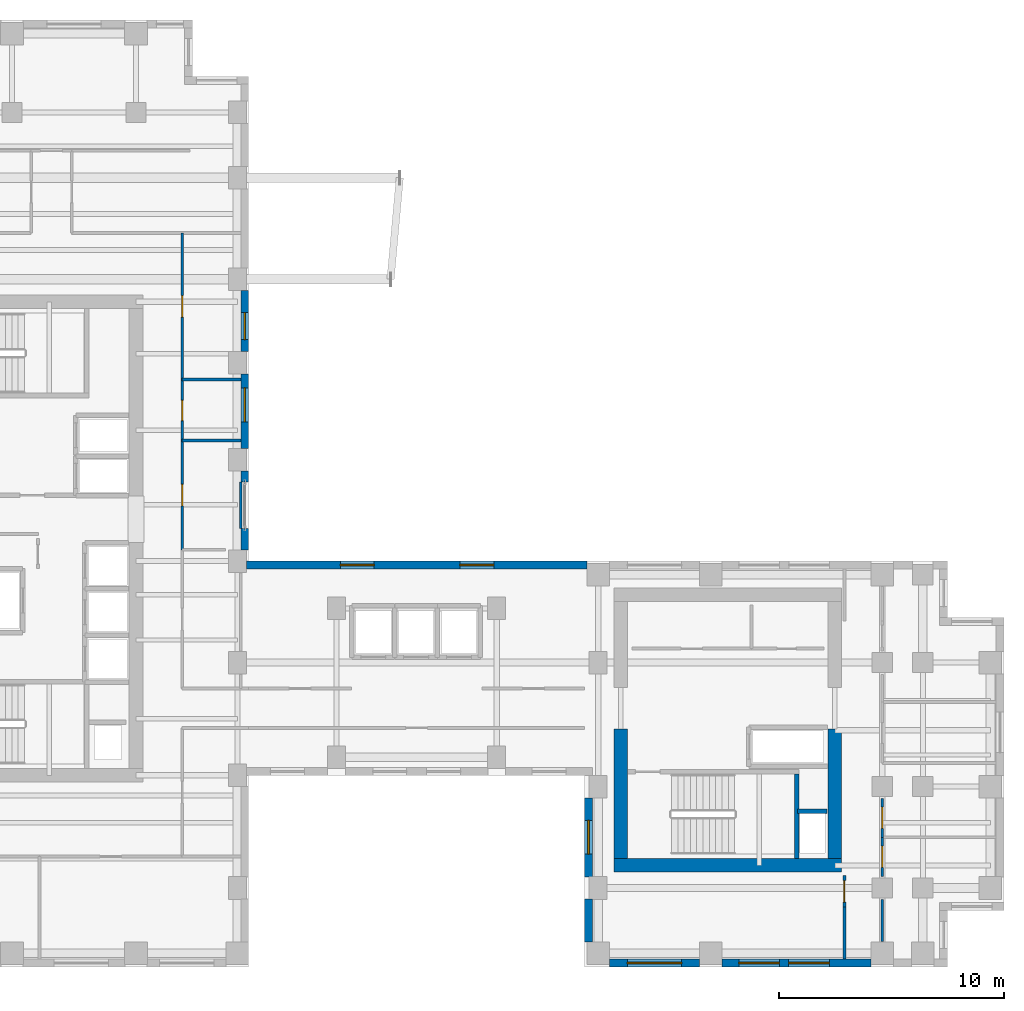
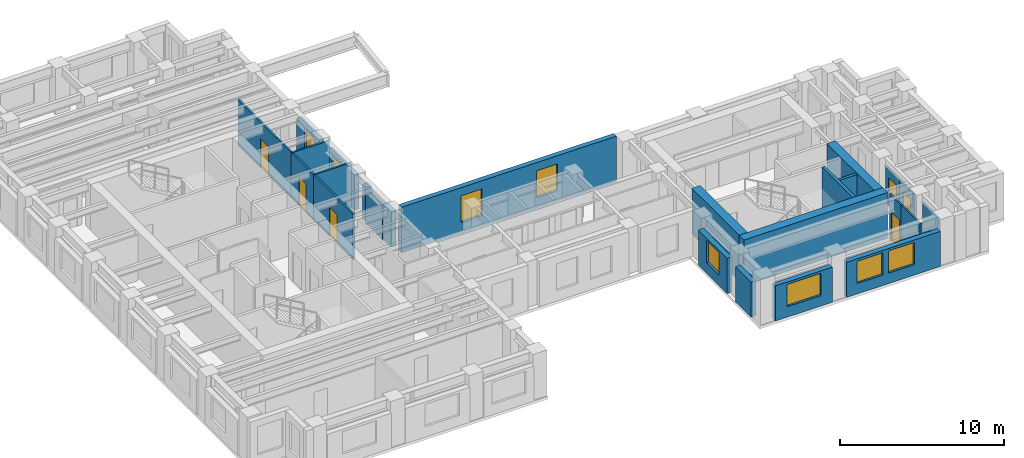
# One storey, part 8 of 13: 25 walls, 8 windows, 6 doors, 14 openings.
"""IFC4 building model written with IfcOpenShell, lengths in metres."""

from ifc_helpers import new_model, si_unit, direction, frame, frame_2d, origin, place, context, subcontext, project, spatial, rectangle, extrude, source, transform, mapped, material, layer, layer_set, type_object, element, fill, save


model = new_model("IFC4")

# Units and contexts
model_context = context("Model", 3, precision=1e-05, world=origin(), true_north=direction((0.0, 1.0)))
body_context = subcontext(model_context, "Body", "Model", "MODEL_VIEW")
ifc_project = project(units=[si_unit("LENGTHUNIT", "METRE"), si_unit("AREAUNIT", "SQUARE_METRE"), si_unit("VOLUMEUNIT", "CUBIC_METRE"), si_unit("PLANEANGLEUNIT", "RADIAN"), si_unit("MASSUNIT", "GRAM", prefix="KILO")], contexts=[model_context])

# Site, building, storey
site_placement = place(None, origin())
site = spatial("IfcSite", under=ifc_project, at=site_placement, CompositionType="ELEMENT")
building_placement = place(site_placement, origin())
building = spatial("IfcBuilding", under=site, at=building_placement, Name="Kharzan Plaza Tower", CompositionType="ELEMENT")
storey_placement = place(building_placement, frame((0.0, 0.0, 153.89990234375)))
storey = spatial("IfcBuildingStorey", under=building, at=storey_placement, Name="L41", CompositionType="ELEMENT", Elevation=153.89990234375)

# Wall, opening, window
ifc_material_1 = material(Name="Concrete C40/50", Category="concrete")
ifc_layer_1 = layer(ifc_material_1, 0.35009765625)
ifc_layer_set_1 = layer_set([ifc_layer_1], Name="Concrete C40/50")
wall_type_1 = type_object("IfcWallType", Name="WL-EXT-MAS-Z3", PredefinedType="SOLIDWALL", material=ifc_layer_set_1)
wall_1_placement = place(storey_placement, frame((34.574951171875, 7.501953125, 0.0), z_axis=(0.0, 0.0, 1.0), x_axis=(0.0, -1.0, 0.0)))
wall_1 = element("IfcWall", 1, at=wall_1_placement, inside=storey, type_object=wall_type_1, Name="L41 Masonry-Frame Exterior Wall 29", PredefinedType="SOLIDWALL", context=body_context, shape_type="SweptSolid", body=[
    extrude(rectangle(XDim=3.50390625, YDim=0.35009765625, at=frame_2d((1.751953125, 0.0))), origin(), (0.0, 0.0, 1.0), 2.612060546875),
])
opening_1_placement = place(wall_1_placement, frame((1.001953125, 0.0, 0.780029296875)))
opening_1 = element("IfcOpeningElement", 2, at=opening_1_placement, cuts=wall_1, Name="Opening W5", PredefinedType="OPENING", context=body_context, shape_type="SweptSolid", body=[
    extrude(rectangle(XDim=1.5, YDim=1.652099609375, at=frame_2d((0.75, 0.826171875))), frame((0.0, 0.18505859375, 0.0), z_axis=(0.0, -1.0, 0.0), x_axis=(1.0, 0.0, 0.0)), (0.0, 0.0, 1.0), 0.3701171875),
])
ifc_material_2 = material(Name="Low-E Double Glazing", Category="glass")
window_type_1 = type_object("IfcWindowType", Name="WN-SLT-1500x2000", PartitioningType="SINGLE_PANEL", PredefinedType="WINDOW", material=ifc_material_2)
shared_shape_1 = source(origin(), body_context, "Body", "SweptSolid", [
    extrude(rectangle(XDim=1.5, YDim=1.652099609375, at=frame_2d((0.75, 0.826171875))), frame((0.0, 0.030029296875, 0.0), z_axis=(0.0, -1.0, 0.0), x_axis=(1.0, 0.0, 0.0)), (0.0, 0.0, 1.0), 0.06005859375),
])
window_1_placement = place(opening_1_placement, origin())
window_1 = element("IfcWindow", 3, at=window_1_placement, inside=storey, type_object=window_type_1, Name="L41 Recessed Solar-Control Window 29-1", OverallHeight=1.652099609375, OverallWidth=1.5, PartitioningType="SINGLE_PANEL", PredefinedType="WINDOW", context=body_context, shape_type="MappedRepresentation", body=[
    mapped(shared_shape_1, transform((0.0, 0.0, 0.0), x_axis=(1.0, 0.0, 0.0), y_axis=(0.0, 1.0, 0.0), z_axis=(0.0, 0.0, 1.0))),
])
fill(opening_1, window_1)

wall_2_placement = place(storey_placement, frame((35.498046875, 0.175048828125, 0.0), z_axis=(0.0, 0.0, 1.0), x_axis=(1.0, 0.0, 0.0)))
wall_2 = element("IfcWall", 4, at=wall_2_placement, inside=storey, type_object=wall_type_1, Name="L41 Masonry-Frame Exterior Wall 31", PredefinedType="SOLIDWALL", context=body_context, shape_type="SweptSolid", body=[
    extrude(rectangle(XDim=4.00390625, YDim=0.35009765625, at=frame_2d((2.001953125, 0.0))), origin(), (0.0, 0.0, 1.0), 2.612060546875),
])
opening_2_placement = place(wall_2_placement, frame((0.802001953125, 0.0, 0.780029296875)))
opening_2 = element("IfcOpeningElement", 5, at=opening_2_placement, cuts=wall_2, Name="Opening W2", PredefinedType="OPENING", context=body_context, shape_type="SweptSolid", body=[
    extrude(rectangle(XDim=2.39990234375, YDim=1.652099609375, at=frame_2d((1.199951171875, 0.826171875))), frame((0.0, 0.18505859375, 0.0), z_axis=(0.0, -1.0, 0.0), x_axis=(1.0, 0.0, 0.0)), (0.0, 0.0, 1.0), 0.3701171875),
])
window_type_2 = type_object("IfcWindowType", Name="WN-REC-2400x2100", PartitioningType="SINGLE_PANEL", PredefinedType="WINDOW", material=ifc_material_2)
shared_shape_2 = source(origin(), body_context, "Body", "SweptSolid", [
    extrude(rectangle(XDim=2.39990234375, YDim=1.652099609375, at=frame_2d((1.199951171875, 0.826171875))), frame((0.0, 0.030029296875, 0.0), z_axis=(0.0, -1.0, 0.0), x_axis=(1.0, 0.0, 0.0)), (0.0, 0.0, 1.0), 0.06005859375),
])
window_2_placement = place(opening_2_placement, origin())
window_2 = element("IfcWindow", 6, at=window_2_placement, inside=storey, type_object=window_type_2, Name="L41 Wide Recessed Solar-Control Window 31-1", OverallHeight=1.652099609375, OverallWidth=2.39990234375, PartitioningType="SINGLE_PANEL", PredefinedType="WINDOW", context=body_context, shape_type="MappedRepresentation", body=[
    mapped(shared_shape_2, transform((0.0, 0.0, 0.0), x_axis=(1.0, 0.0, 0.0), y_axis=(0.0, 1.0, 0.0), z_axis=(0.0, 0.0, 1.0))),
])
fill(opening_2, window_2)

# Wall, openings, windows
wall_3_placement = place(storey_placement, frame((40.498046875, 0.175048828125, 0.0), z_axis=(0.0, 0.0, 1.0), x_axis=(1.0, 0.0, 0.0)))
wall_3 = element("IfcWall", 7, at=wall_3_placement, inside=storey, type_object=wall_type_1, Name="L41 Masonry-Frame Exterior Wall 32", PredefinedType="SOLIDWALL", context=body_context, shape_type="SweptSolid", body=[
    extrude(rectangle(XDim=6.60400390625, YDim=0.35009765625, at=frame_2d((3.302001953125, 0.0))), origin(), (0.0, 0.0, 1.0), 2.612060546875),
])
opening_3_placement = place(wall_3_placement, frame((0.7373046875, 0.0, 0.780029296875)))
opening_3 = element("IfcOpeningElement", 8, at=opening_3_placement, cuts=wall_3, Name="Opening W1", PredefinedType="OPENING", context=body_context, shape_type="SweptSolid", body=[
    extrude(rectangle(XDim=1.800048828125, YDim=1.652099609375, at=frame_2d((0.89990234375, 0.826171875))), frame((0.0, 0.18505859375, 0.0), z_axis=(0.0, -1.0, 0.0), x_axis=(1.0, 0.0, 0.0)), (0.0, 0.0, 1.0), 0.3701171875),
])
opening_4_placement = place(wall_3_placement, frame((2.95458984375, 0.0, 0.780029296875)))
opening_4 = element("IfcOpeningElement", 9, at=opening_4_placement, cuts=wall_3, Name="Opening W1", PredefinedType="OPENING", context=body_context, shape_type="SweptSolid", body=[
    extrude(rectangle(XDim=1.800048828125, YDim=1.652099609375, at=frame_2d((0.89990234375, 0.826171875))), frame((0.0, 0.18505859375, 0.0), z_axis=(0.0, -1.0, 0.0), x_axis=(1.0, 0.0, 0.0)), (0.0, 0.0, 1.0), 0.3701171875),
])
window_type_3 = type_object("IfcWindowType", Name="WN-REC-1800x2100", PartitioningType="SINGLE_PANEL", PredefinedType="WINDOW", material=ifc_material_2)
shared_shape_3 = source(origin(), body_context, "Body", "SweptSolid", [
    extrude(rectangle(XDim=1.800048828125, YDim=1.652099609375, at=frame_2d((0.89990234375, 0.826171875))), frame((0.0, 0.030029296875, 0.0), z_axis=(0.0, -1.0, 0.0), x_axis=(1.0, 0.0, 0.0)), (0.0, 0.0, 1.0), 0.06005859375),
])
window_3_placement = place(opening_3_placement, origin())
window_3 = element("IfcWindow", 10, at=window_3_placement, inside=storey, type_object=window_type_3, Name="L41 Recessed Solar-Control Window 32-1", OverallHeight=1.652099609375, OverallWidth=1.800048828125, PartitioningType="SINGLE_PANEL", PredefinedType="WINDOW", context=body_context, shape_type="MappedRepresentation", body=[
    mapped(shared_shape_3, transform((0.0, 0.0, 0.0), x_axis=(1.0, 0.0, 0.0), y_axis=(0.0, 1.0, 0.0), z_axis=(0.0, 0.0, 1.0))),
])
fill(opening_3, window_3)
window_4_placement = place(opening_4_placement, origin())
window_4 = element("IfcWindow", 11, at=window_4_placement, inside=storey, type_object=window_type_3, Name="L41 Recessed Solar-Control Window 32-2", OverallHeight=1.652099609375, OverallWidth=1.800048828125, PartitioningType="SINGLE_PANEL", PredefinedType="WINDOW", context=body_context, shape_type="MappedRepresentation", body=[
    mapped(shared_shape_3, transform((0.0, 0.0, 0.0), x_axis=(1.0, 0.0, 0.0), y_axis=(0.0, 1.0, 0.0), z_axis=(0.0, 0.0, 1.0))),
])
fill(opening_4, window_4)

wall_4_placement = place(storey_placement, frame((34.501953125, 17.824951171875, 0.0), z_axis=(0.0, 0.0, 1.0), x_axis=(-1.0, 0.0, 0.0)))
wall_4 = element("IfcWall", 12, at=wall_4_placement, inside=storey, type_object=wall_type_1, Name="L41 Masonry-Frame Exterior Wall 46", PredefinedType="SOLIDWALL", context=body_context, shape_type="SweptSolid", body=[
    extrude(rectangle(XDim=15.10400390625, YDim=0.35009765625, at=frame_2d((7.552001953125, 0.0))), origin(), (0.0, 0.0, 1.0), 3.385009765625),
])
opening_5_placement = place(wall_4_placement, frame((4.131103515625, 0.0, 0.780029296875)))
opening_5 = element("IfcOpeningElement", 13, at=opening_5_placement, cuts=wall_4, Name="Opening W5", PredefinedType="OPENING", context=body_context, shape_type="SweptSolid", body=[
    extrude(rectangle(XDim=1.5, YDim=2.0, at=frame_2d((0.75, 1.0))), frame((0.0, 0.18505859375, 0.0), z_axis=(0.0, -1.0, 0.0), x_axis=(1.0, 0.0, 0.0)), (0.0, 0.0, 1.0), 0.3701171875),
])
opening_6_placement = place(wall_4_placement, frame((9.4423828125, 0.0, 0.780029296875)))
opening_6 = element("IfcOpeningElement", 14, at=opening_6_placement, cuts=wall_4, Name="Opening W5", PredefinedType="OPENING", context=body_context, shape_type="SweptSolid", body=[
    extrude(rectangle(XDim=1.5, YDim=2.0, at=frame_2d((0.75, 1.0))), frame((0.0, 0.18505859375, 0.0), z_axis=(0.0, -1.0, 0.0), x_axis=(1.0, 0.0, 0.0)), (0.0, 0.0, 1.0), 0.3701171875),
])
shared_shape_4 = source(origin(), body_context, "Body", "SweptSolid", [
    extrude(rectangle(XDim=1.5, YDim=2.0, at=frame_2d((0.75, 1.0))), frame((0.0, 0.030029296875, 0.0), z_axis=(0.0, -1.0, 0.0), x_axis=(1.0, 0.0, 0.0)), (0.0, 0.0, 1.0), 0.06005859375),
])
window_5_placement = place(opening_5_placement, origin())
window_5 = element("IfcWindow", 15, at=window_5_placement, inside=storey, type_object=window_type_1, Name="L41 Recessed Solar-Control Window 46-1", OverallHeight=2.0, OverallWidth=1.5, PartitioningType="SINGLE_PANEL", PredefinedType="WINDOW", context=body_context, shape_type="MappedRepresentation", body=[
    mapped(shared_shape_4, transform((0.0, 0.0, 0.0), x_axis=(1.0, 0.0, 0.0), y_axis=(0.0, 1.0, 0.0), z_axis=(0.0, 0.0, 1.0))),
])
fill(opening_5, window_5)
window_6_placement = place(opening_6_placement, origin())
window_6 = element("IfcWindow", 16, at=window_6_placement, inside=storey, type_object=window_type_1, Name="L41 Recessed Solar-Control Window 46-2", OverallHeight=2.0, OverallWidth=1.5, PartitioningType="SINGLE_PANEL", PredefinedType="WINDOW", context=body_context, shape_type="MappedRepresentation", body=[
    mapped(shared_shape_4, transform((0.0, 0.0, 0.0), x_axis=(1.0, 0.0, 0.0), y_axis=(0.0, 1.0, 0.0), z_axis=(0.0, 0.0, 1.0))),
])
fill(opening_6, window_6)

# Wall, opening, window
wall_5_placement = place(storey_placement, frame((19.324951171875, 22.998046875, 0.0), z_axis=(0.0, 0.0, 1.0), x_axis=(0.0, 1.0, 0.0)))
wall_5 = element("IfcWall", 17, at=wall_5_placement, inside=storey, type_object=wall_type_1, Name="L41 Masonry-Frame Exterior Wall 49", PredefinedType="SOLIDWALL", context=body_context, shape_type="SweptSolid", body=[
    extrude(rectangle(XDim=3.303955078125, YDim=0.35009765625, at=frame_2d((1.65185546875, 0.0))), origin(), (0.0, 0.0, 1.0), 2.612060546875),
])
opening_7_placement = place(wall_5_placement, frame((1.180419921875, 0.0, 0.780029296875)))
opening_7 = element("IfcOpeningElement", 18, at=opening_7_placement, cuts=wall_5, Name="Opening W5", PredefinedType="OPENING", context=body_context, shape_type="SweptSolid", body=[
    extrude(rectangle(XDim=1.5, YDim=1.652099609375, at=frame_2d((0.75, 0.826171875))), frame((0.0, 0.18505859375, 0.0), z_axis=(0.0, -1.0, 0.0), x_axis=(1.0, 0.0, 0.0)), (0.0, 0.0, 1.0), 0.3701171875),
])
window_7_placement = place(opening_7_placement, origin())
window_7 = element("IfcWindow", 19, at=window_7_placement, inside=storey, type_object=window_type_1, Name="L41 Recessed Solar-Control Window 49-1", OverallHeight=1.652099609375, OverallWidth=1.5, PartitioningType="SINGLE_PANEL", PredefinedType="WINDOW", context=body_context, shape_type="MappedRepresentation", body=[
    mapped(shared_shape_1, transform((0.0, 0.0, 0.0), x_axis=(1.0, 0.0, 0.0), y_axis=(0.0, 1.0, 0.0), z_axis=(0.0, 0.0, 1.0))),
])
fill(opening_7, window_7)

wall_6_placement = place(storey_placement, frame((19.324951171875, 27.298095703125, 0.0), z_axis=(0.0, 0.0, 1.0), x_axis=(0.0, 1.0, 0.0)))
wall_6 = element("IfcWall", 20, at=wall_6_placement, inside=storey, type_object=wall_type_1, Name="L41 Masonry-Frame Exterior Wall 50", PredefinedType="SOLIDWALL", context=body_context, shape_type="SweptSolid", body=[
    extrude(rectangle(XDim=2.703857421875, YDim=0.35009765625, at=frame_2d((1.35205078125, 0.0))), origin(), (0.0, 0.0, 1.0), 2.612060546875),
])
opening_8_placement = place(wall_6_placement, frame((0.523681640625, 0.0, 0.780029296875)))
opening_8 = element("IfcOpeningElement", 21, at=opening_8_placement, cuts=wall_6, Name="Opening W3", PredefinedType="OPENING", context=body_context, shape_type="SweptSolid", body=[
    extrude(rectangle(XDim=1.199951171875, YDim=1.652099609375, at=frame_2d((0.60009765625, 0.826171875))), frame((0.0, 0.18505859375, 0.0), z_axis=(0.0, -1.0, 0.0), x_axis=(1.0, 0.0, 0.0)), (0.0, 0.0, 1.0), 0.3701171875),
])
window_type_4 = type_object("IfcWindowType", Name="WN-REC-1200x2100", PartitioningType="SINGLE_PANEL", PredefinedType="WINDOW", material=ifc_material_2)
shared_shape_5 = source(origin(), body_context, "Body", "SweptSolid", [
    extrude(rectangle(XDim=1.199951171875, YDim=1.652099609375, at=frame_2d((0.60009765625, 0.826171875))), frame((0.0, 0.030029296875, 0.0), z_axis=(0.0, -1.0, 0.0), x_axis=(1.0, 0.0, 0.0)), (0.0, 0.0, 1.0), 0.06005859375),
])
window_8_placement = place(opening_8_placement, origin())
window_8 = element("IfcWindow", 22, at=window_8_placement, inside=storey, type_object=window_type_4, Name="L41 Recessed Solar-Control Window 50-1", OverallHeight=1.652099609375, OverallWidth=1.199951171875, PartitioningType="SINGLE_PANEL", PredefinedType="WINDOW", context=body_context, shape_type="MappedRepresentation", body=[
    mapped(shared_shape_5, transform((0.0, 0.0, 0.0), x_axis=(1.0, 0.0, 0.0), y_axis=(0.0, 1.0, 0.0), z_axis=(0.0, 0.0, 1.0))),
])
fill(opening_8, window_8)

# Wall, opening, door
ifc_material_3 = material(Name="Fire-Rated Gypsum Board Partition", Category="gypsum")
ifc_layer_2 = layer(ifc_material_3, 0.125)
ifc_layer_set_2 = layer_set([ifc_layer_2], Name="Fire-Rated Gypsum Board Partition")
wall_type_2 = type_object("IfcWallType", Name="WL-INT-PART-125", PredefinedType="PARTITIONING", material=ifc_layer_set_2)
wall_7_placement = place(storey_placement, frame((16.550048828125, 18.5, 0.0), z_axis=(0.0, 0.0, 1.0), x_axis=(0.0, 1.0, 0.0)))
wall_7 = element("IfcWall", 23, at=wall_7_placement, inside=storey, type_object=wall_type_2, Name="L41 Interior Partition SH-AEWN2", PredefinedType="PARTITIONING", context=body_context, shape_type="SweptSolid", body=[
    extrude(rectangle(XDim=4.85009765625, YDim=0.125, at=frame_2d((2.425048828125, 0.0))), origin(), (0.0, 0.0, 1.0), 3.385009765625),
])
opening_9_placement = place(wall_7_placement, frame((1.949951171875, 0.0, 0.0)))
opening_9 = element("IfcOpeningElement", 24, at=opening_9_placement, cuts=wall_7, Name="Opening OD1", PredefinedType="OPENING", context=body_context, shape_type="SweptSolid", body=[
    extrude(rectangle(XDim=0.949951171875, YDim=2.14990234375, at=frame_2d((0.47509765625, 1.074951171875))), frame((0.0, 0.072509765625, 0.0), z_axis=(0.0, -1.0, 0.0), x_axis=(1.0, 0.0, 0.0)), (0.0, 0.0, 1.0), 0.14501953125),
])
ifc_material_4 = material(Name="Acoustic Solid-Core Stained Oak", Category="timber")
door_type_1 = type_object("IfcDoorType", Name="DR-OFF-SINGLE", OperationType="NOTDEFINED", PredefinedType="DOOR", material=ifc_material_4)
shared_shape_6 = source(origin(), body_context, "Body", "SweptSolid", [
    extrude(rectangle(XDim=0.949951171875, YDim=2.14990234375, at=frame_2d((0.47509765625, 1.074951171875))), frame((0.0, 0.02490234375, 0.0), z_axis=(0.0, -1.0, 0.0), x_axis=(1.0, 0.0, 0.0)), (0.0, 0.0, 1.0), 0.050048828125),
])
door_1_placement = place(opening_9_placement, origin())
door_1 = element("IfcDoor", 25, at=door_1_placement, inside=storey, type_object=door_type_1, Name="L41 Slot Studio Door", OperationType="SINGLE_SWING_LEFT", OverallHeight=2.14990234375, OverallWidth=0.949951171875, PredefinedType="DOOR", context=body_context, shape_type="MappedRepresentation", body=[
    mapped(shared_shape_6, transform((0.0, 0.0, 0.0), x_axis=(1.0, 0.0, 0.0), y_axis=(0.0, 1.0, 0.0), z_axis=(0.0, 0.0, 1.0))),
])
fill(opening_9, door_1)

wall_8_placement = place(storey_placement, frame((16.550048828125, 26.050048828125, 0.0), z_axis=(0.0, 0.0, 1.0), x_axis=(0.0, 1.0, 0.0)))
wall_8 = element("IfcWall", 26, at=wall_8_placement, inside=storey, type_object=wall_type_2, Name="L41 Interior Partition SH-AEWN3", PredefinedType="PARTITIONING", context=body_context, shape_type="SweptSolid", body=[
    extrude(rectangle(XDim=6.5, YDim=0.125, at=frame_2d((3.25, 0.0))), origin(), (0.0, 0.0, 1.0), 3.385009765625),
])
opening_10_placement = place(wall_8_placement, frame((2.77490234375, 0.0, 0.0)))
opening_10 = element("IfcOpeningElement", 27, at=opening_10_placement, cuts=wall_8, Name="Opening OD1", PredefinedType="OPENING", context=body_context, shape_type="SweptSolid", body=[
    extrude(rectangle(XDim=0.949951171875, YDim=2.14990234375, at=frame_2d((0.47509765625, 1.074951171875))), frame((0.0, 0.072509765625, 0.0), z_axis=(0.0, -1.0, 0.0), x_axis=(1.0, 0.0, 0.0)), (0.0, 0.0, 1.0), 0.14501953125),
])
door_2_placement = place(opening_10_placement, origin())
door_2 = element("IfcDoor", 28, at=door_2_placement, inside=storey, type_object=door_type_1, Name="L41 Staff Tea Point Door", OperationType="SINGLE_SWING_LEFT", OverallHeight=2.14990234375, OverallWidth=0.949951171875, PredefinedType="DOOR", context=body_context, shape_type="MappedRepresentation", body=[
    mapped(shared_shape_6, transform((0.0, 0.0, 0.0), x_axis=(1.0, 0.0, 0.0), y_axis=(0.0, 1.0, 0.0), z_axis=(0.0, 0.0, 1.0))),
])
fill(opening_10, door_2)

wall_9_placement = place(storey_placement, frame((16.550048828125, 23.35009765625, 0.0), z_axis=(0.0, 0.0, 1.0), x_axis=(0.0, 1.0, 0.0)))
wall_9 = element("IfcWall", 29, at=wall_9_placement, inside=storey, type_object=wall_type_2, Name="L41 Interior Partition SH-AEWW", PredefinedType="PARTITIONING", context=body_context, shape_type="SweptSolid", body=[
    extrude(rectangle(XDim=2.699951171875, YDim=0.125, at=frame_2d((1.35009765625, 0.0))), origin(), (0.0, 0.0, 1.0), 3.385009765625),
])
opening_11_placement = place(wall_9_placement, frame((0.875, 0.0, 0.0)))
opening_11 = element("IfcOpeningElement", 30, at=opening_11_placement, cuts=wall_9, Name="Opening WD1", PredefinedType="OPENING", context=body_context, shape_type="SweptSolid", body=[
    extrude(rectangle(XDim=0.89990234375, YDim=2.14990234375, at=frame_2d((0.449951171875, 1.074951171875))), frame((0.0, 0.072509765625, 0.0), z_axis=(0.0, -1.0, 0.0), x_axis=(1.0, 0.0, 0.0)), (0.0, 0.0, 1.0), 0.14501953125),
])
ifc_material_5 = material(Name="Moisture-Resistant Fire-Rated Laminate", Category="timber")
door_type_2 = type_object("IfcDoorType", Name="DR-WC-900", OperationType="NOTDEFINED", PredefinedType="DOOR", material=ifc_material_5)
shared_shape_7 = source(origin(), body_context, "Body", "SweptSolid", [
    extrude(rectangle(XDim=0.89990234375, YDim=2.14990234375, at=frame_2d((0.449951171875, 1.074951171875))), frame((0.0, 0.02490234375, 0.0), z_axis=(0.0, -1.0, 0.0), x_axis=(1.0, 0.0, 0.0)), (0.0, 0.0, 1.0), 0.050048828125),
])
door_3_placement = place(opening_11_placement, origin())
door_3 = element("IfcDoor", 31, at=door_3_placement, inside=storey, type_object=door_type_2, Name="L41 Wing A Washroom Door", OperationType="SINGLE_SWING_RIGHT", OverallHeight=2.14990234375, OverallWidth=0.89990234375, PredefinedType="DOOR", context=body_context, shape_type="MappedRepresentation", body=[
    mapped(shared_shape_7, transform((0.0, 0.0, 0.0), x_axis=(1.0, 0.0, 0.0), y_axis=(0.0, 1.0, 0.0), z_axis=(0.0, 0.0, 1.0))),
])
fill(opening_11, door_3)

wall_10_placement = place(storey_placement, frame((47.60009765625, 4.02001953125, 0.0), z_axis=(0.0, 0.0, 1.0), x_axis=(0.0, 1.0, 0.0)))
wall_10 = element("IfcWall", 32, at=wall_10_placement, inside=storey, type_object=wall_type_2, Name="L41 Interior Partition SH-B3W0", PredefinedType="PARTITIONING", context=body_context, shape_type="SweptSolid", body=[
    extrude(rectangle(XDim=1.72998046875, YDim=0.125, at=frame_2d((0.864990234375, 0.0))), origin(), (0.0, 0.0, 1.0), 2.773193359375),
])
opening_12_placement = place(wall_10_placement, frame((0.389892578125, 0.0, 0.0)))
opening_12 = element("IfcOpeningElement", 33, at=opening_12_placement, cuts=wall_10, Name="Opening OD1", PredefinedType="OPENING", context=body_context, shape_type="SweptSolid", body=[
    extrude(rectangle(XDim=0.949951171875, YDim=2.14990234375, at=frame_2d((0.47509765625, 1.074951171875))), frame((0.0, 0.072509765625, 0.0), z_axis=(0.0, -1.0, 0.0), x_axis=(1.0, 0.0, 0.0)), (0.0, 0.0, 1.0), 0.14501953125),
])
door_4_placement = place(opening_12_placement, origin())
door_4 = element("IfcDoor", 34, at=door_4_placement, inside=storey, type_object=door_type_1, Name="L41 Wing B Office 1 Door", OperationType="SINGLE_SWING_RIGHT", OverallHeight=2.14990234375, OverallWidth=0.949951171875, PredefinedType="DOOR", context=body_context, shape_type="MappedRepresentation", body=[
    mapped(shared_shape_6, transform((0.0, 0.0, 0.0), x_axis=(1.0, 0.0, 0.0), y_axis=(0.0, 1.0, 0.0), z_axis=(0.0, 0.0, 1.0))),
])
fill(opening_12, door_4)

wall_11_placement = place(storey_placement, frame((47.60009765625, 5.75, 0.0), z_axis=(0.0, 0.0, 1.0), x_axis=(0.0, 1.0, 0.0)))
wall_11 = element("IfcWall", 35, at=wall_11_placement, inside=storey, type_object=wall_type_2, Name="L41 Interior Partition SH-B3W1", PredefinedType="PARTITIONING", context=body_context, shape_type="SweptSolid", body=[
    extrude(rectangle(XDim=1.72998046875, YDim=0.125, at=frame_2d((0.864990234375, 0.0))), origin(), (0.0, 0.0, 1.0), 2.773193359375),
])
opening_13_placement = place(wall_11_placement, frame((0.389892578125, 0.0, 0.0)))
opening_13 = element("IfcOpeningElement", 36, at=opening_13_placement, cuts=wall_11, Name="Opening OD1", PredefinedType="OPENING", context=body_context, shape_type="SweptSolid", body=[
    extrude(rectangle(XDim=0.949951171875, YDim=2.14990234375, at=frame_2d((0.47509765625, 1.074951171875))), frame((0.0, 0.072509765625, 0.0), z_axis=(0.0, -1.0, 0.0), x_axis=(1.0, 0.0, 0.0)), (0.0, 0.0, 1.0), 0.14501953125),
])
door_5_placement = place(opening_13_placement, origin())
door_5 = element("IfcDoor", 37, at=door_5_placement, inside=storey, type_object=door_type_1, Name="L41 Wing B Office 2 Door", OperationType="SINGLE_SWING_LEFT", OverallHeight=2.14990234375, OverallWidth=0.949951171875, PredefinedType="DOOR", context=body_context, shape_type="MappedRepresentation", body=[
    mapped(shared_shape_6, transform((0.0, 0.0, 0.0), x_axis=(1.0, 0.0, 0.0), y_axis=(0.0, 1.0, 0.0), z_axis=(0.0, 0.0, 1.0))),
])
fill(opening_13, door_5)

wall_12_placement = place(storey_placement, frame((45.919921875, 2.64990234375, 0.0), z_axis=(0.0, 0.0, 1.0), x_axis=(0.0, 1.0, 0.0)))
wall_12 = element("IfcWall", 38, at=wall_12_placement, inside=storey, type_object=wall_type_2, Name="L41 Interior Partition SH-RBSE", PredefinedType="PARTITIONING", context=body_context, shape_type="SweptSolid", body=[
    extrude(rectangle(XDim=1.400146484375, YDim=0.125, at=frame_2d((0.7001953125, 0.0))), origin(), (0.0, 0.0, 1.0), 3.385009765625),
])
opening_14_placement = place(wall_12_placement, frame((0.22509765625, 0.0, 0.0)))
opening_14 = element("IfcOpeningElement", 39, at=opening_14_placement, cuts=wall_12, Name="Opening OD1", PredefinedType="OPENING", context=body_context, shape_type="SweptSolid", body=[
    extrude(rectangle(XDim=0.949951171875, YDim=2.14990234375, at=frame_2d((0.47509765625, 1.074951171875))), frame((0.0, 0.072509765625, 0.0), z_axis=(0.0, -1.0, 0.0), x_axis=(1.0, 0.0, 0.0)), (0.0, 0.0, 1.0), 0.14501953125),
])
door_6_placement = place(opening_14_placement, origin())
door_6 = element("IfcDoor", 40, at=door_6_placement, inside=storey, type_object=door_type_1, Name="L41 South-East Corner Office Door", OperationType="SINGLE_SWING_LEFT", OverallHeight=2.14990234375, OverallWidth=0.949951171875, PredefinedType="DOOR", context=body_context, shape_type="MappedRepresentation", body=[
    mapped(shared_shape_6, transform((0.0, 0.0, 0.0), x_axis=(1.0, 0.0, 0.0), y_axis=(0.0, 1.0, 0.0), z_axis=(0.0, 0.0, 1.0))),
])
fill(opening_14, door_6)

# Walls
shared_shape_8 = source(origin(), body_context, "Body", "SweptSolid", [
    extrude(rectangle(XDim=2.2978515625, YDim=0.125, at=frame_2d((1.14892578125, 0.0))), origin(), (0.0, 0.0, 1.0), 3.385009765625),
])
wall_13_placement = place(storey_placement, frame((45.919921875, 0.35205078125, 0.0), z_axis=(0.0, 0.0, 1.0), x_axis=(0.0, 1.0, 0.0)))
element("IfcWall", 41, at=wall_13_placement, inside=storey, type_object=wall_type_2, Name="L41 Interior Partition SH-RBSE0", PredefinedType="PARTITIONING", context=body_context, shape_type="MappedRepresentation", body=[
    mapped(shared_shape_8, transform((0.0, 0.0, 0.0), x_axis=(1.0, 0.0, 0.0), y_axis=(0.0, 1.0, 0.0), z_axis=(0.0, 0.0, 1.0))),
])
ifc_layer_3 = layer(ifc_material_1, 0.199951171875)
ifc_layer_set_3 = layer_set([ifc_layer_3], Name="Concrete C40/50")
wall_type_3 = type_object("IfcWallType", Name="WL-INT-SHAFT-200", PredefinedType="PARTITIONING", material=ifc_layer_set_3)
shared_shape_9 = source(origin(), body_context, "Body", "SweptSolid", [
    extrude(rectangle(XDim=1.2998046875, YDim=0.199951171875, at=frame_2d((0.64990234375, 0.0))), origin(), (0.0, 0.0, 1.0), 3.385009765625),
])
wall_14_placement = place(storey_placement, frame((43.85009765625, 6.89990234375, 0.0), z_axis=(0.0, 0.0, 1.0), x_axis=(1.0, 0.0, 0.0)))
element("IfcWall", 42, at=wall_14_placement, inside=storey, type_object=wall_type_3, Name="L41 Interior Partition CB-RSRB-N", PredefinedType="PARTITIONING", context=body_context, shape_type="MappedRepresentation", body=[
    mapped(shared_shape_9, transform((0.0, 0.0, 0.0), x_axis=(1.0, 0.0, 0.0), y_axis=(0.0, 1.0, 0.0), z_axis=(0.0, 0.0, 1.0))),
])
ifc_material_6 = material(Name="Concrete C50/60", Category="concrete")
ifc_layer_4 = layer(ifc_material_6, 0.60009765625)
ifc_layer_set_4 = layer_set([ifc_layer_4], Name="Concrete C50/60")
wall_type_4 = type_object("IfcWallType", Name="WL-CORE-600", PredefinedType="SHEAR", material=ifc_layer_set_4)
shared_shape_10 = source(origin(), body_context, "Body", "SweptSolid", [
    extrude(rectangle(XDim=5.75, YDim=0.60009765625, at=frame_2d((2.875, 0.0))), origin(), (0.0, 0.0, 1.0), 3.400146484375),
])
for number, where, z_axis, x_axis, name in (
    (43, (45.5, 4.800048828125, 0.0), (0.0, 0.0, 1.0), (0.0, 1.0, 0.0), "L41 CORE-B east shear pier 1"),
    (44, (36.0, 4.800048828125, 0.0), (0.0, 0.0, 1.0), (0.0, 1.0, 0.0), "L41 CORE-B west shear pier 1"),
):
    element("IfcWall", number, at=place(storey_placement, frame(where, z_axis=z_axis, x_axis=x_axis)), inside=storey, type_object=wall_type_4, Name=name, PredefinedType="SHEAR", context=body_context, shape_type="MappedRepresentation", body=[
        mapped(shared_shape_10, transform((0.0, 0.0, 0.0), x_axis=(1.0, 0.0, 0.0), y_axis=(0.0, 1.0, 0.0), z_axis=(0.0, 0.0, 1.0))),
    ])
shared_shape_11 = source(origin(), body_context, "Body", "SweptSolid", [
    extrude(rectangle(XDim=10.10009765625, YDim=0.60009765625, at=frame_2d((5.050048828125, 0.0))), origin(), (0.0, 0.0, 1.0), 3.400146484375),
])
wall_15_placement = place(storey_placement, frame((35.699951171875, 4.5, 0.0), z_axis=(0.0, 0.0, 1.0), x_axis=(1.0, 0.0, 0.0)))
element("IfcWall", 45, at=wall_15_placement, inside=storey, type_object=wall_type_4, Name="L41 CORE-B south RC shear wall", PredefinedType="SHEAR", context=body_context, shape_type="MappedRepresentation", body=[
    mapped(shared_shape_11, transform((0.0, 0.0, 0.0), x_axis=(1.0, 0.0, 0.0), y_axis=(0.0, 1.0, 0.0), z_axis=(0.0, 0.0, 1.0))),
])
shared_shape_12 = source(origin(), body_context, "Body", "SweptSolid", [
    extrude(rectangle(XDim=1.904052734375, YDim=0.35009765625, at=frame_2d((0.9521484375, 0.0))), origin(), (0.0, 0.0, 1.0), 2.612060546875),
])
wall_16_placement = place(storey_placement, frame((34.574951171875, 3.001953125, 0.0), z_axis=(0.0, 0.0, 1.0), x_axis=(0.0, -1.0, 0.0)))
element("IfcWall", 46, at=wall_16_placement, inside=storey, type_object=wall_type_1, Name="L41 Masonry-Frame Exterior Wall 30", PredefinedType="SOLIDWALL", context=body_context, shape_type="MappedRepresentation", body=[
    mapped(shared_shape_12, transform((0.0, 0.0, 0.0), x_axis=(1.0, 0.0, 0.0), y_axis=(0.0, 1.0, 0.0), z_axis=(0.0, 0.0, 1.0))),
])
shared_shape_13 = source(origin(), body_context, "Body", "SweptSolid", [
    extrude(rectangle(XDim=2.597900390625, YDim=0.125, at=frame_2d((1.298828125, 0.0))), origin(), (0.0, 0.0, 1.0), 3.385009765625),
])
for number, where, z_axis, x_axis, name in (
    (47, (16.550048828125, 23.35009765625, 0.0), (0.0, 0.0, 1.0), (1.0, 0.0, 0.0), "L41 Interior Partition SH-AEH-233"),
    (48, (16.550048828125, 26.050048828125, 0.0), (0.0, 0.0, 1.0), (1.0, 0.0, 0.0), "L41 Interior Partition SH-AEH-260"),
):
    element("IfcWall", number, at=place(storey_placement, frame(where, z_axis=z_axis, x_axis=x_axis)), inside=storey, type_object=wall_type_2, Name=name, PredefinedType="PARTITIONING", context=body_context, shape_type="MappedRepresentation", body=[
        mapped(shared_shape_13, transform((0.0, 0.0, 0.0), x_axis=(1.0, 0.0, 0.0), y_axis=(0.0, 1.0, 0.0), z_axis=(0.0, 0.0, 1.0))),
    ])
ifc_layer_5 = layer(ifc_material_6, 0.199951171875)
ifc_layer_set_5 = layer_set([ifc_layer_5], Name="Concrete C50/60")
wall_type_5 = type_object("IfcWallType", Name="WL-SHAFT-RC200", PredefinedType="SHEAR", material=ifc_layer_set_5)
shared_shape_14 = source(origin(), body_context, "Body", "SweptSolid", [
    extrude(rectangle(XDim=3.7529296875, YDim=0.199951171875, at=frame_2d((1.87646484375, 0.0))), origin(), (0.0, 0.0, 1.0), 3.400146484375),
])
wall_17_placement = place(storey_placement, frame((43.804931640625, 4.802001953125, 0.0), z_axis=(0.0, 0.0, 1.0), x_axis=(0.0, 1.0, 0.0)))
element("IfcWall", 49, at=wall_17_placement, inside=storey, type_object=wall_type_5, Name="L41 Stair ST-3 East RC Shaft Wall", PredefinedType="SHEAR", context=body_context, shape_type="MappedRepresentation", body=[
    mapped(shared_shape_14, transform((0.0, 0.0, 0.0), x_axis=(1.0, 0.0, 0.0), y_axis=(0.0, 1.0, 0.0), z_axis=(0.0, 0.0, 1.0))),
])
shared_shape_15 = source(origin(), body_context, "Body", "SweptSolid", [
    extrude(rectangle(XDim=0.951904296875, YDim=0.35009765625, at=frame_2d((0.47607421875, 0.0))), origin(), (0.0, 0.0, 1.0), 2.612060546875),
])
wall_18_placement = place(storey_placement, frame((19.324951171875, 18.498046875, 0.0), z_axis=(0.0, 0.0, 1.0), x_axis=(0.0, 1.0, 0.0)))
element("IfcWall", 50, at=wall_18_placement, inside=storey, type_object=wall_type_1, Name="L41 Masonry-Frame Exterior Wall 47", PredefinedType="SOLIDWALL", context=body_context, shape_type="MappedRepresentation", body=[
    mapped(shared_shape_15, transform((0.0, 0.0, 0.0), x_axis=(1.0, 0.0, 0.0), y_axis=(0.0, 1.0, 0.0), z_axis=(0.0, 0.0, 1.0))),
])
shared_shape_16 = source(origin(), body_context, "Body", "SweptSolid", [
    extrude(rectangle(XDim=0.501953125, YDim=0.35009765625, at=frame_2d((0.2509765625, 0.0))), origin(), (0.0, 0.0, 1.0), 2.612060546875),
])
wall_19_placement = place(storey_placement, frame((19.324951171875, 21.5, 0.0), z_axis=(0.0, 0.0, 1.0), x_axis=(0.0, 1.0, 0.0)))
element("IfcWall", 51, at=wall_19_placement, inside=storey, type_object=wall_type_1, Name="L41 Masonry-Frame Exterior Wall 48", PredefinedType="SOLIDWALL", context=body_context, shape_type="MappedRepresentation", body=[
    mapped(shared_shape_16, transform((0.0, 0.0, 0.0), x_axis=(1.0, 0.0, 0.0), y_axis=(0.0, 1.0, 0.0), z_axis=(0.0, 0.0, 1.0))),
])
shared_shape_17 = source(origin(), body_context, "Body", "SweptSolid", [
    extrude(rectangle(XDim=2.050048828125, YDim=0.125, at=frame_2d((1.02490234375, 0.0))), origin(), (0.0, 0.0, 1.0), 2.612060546875),
])
wall_20_placement = place(storey_placement, frame((19.14990234375, 19.449951171875, 0.0), z_axis=(0.0, 0.0, 1.0), x_axis=(0.0, 1.0, 0.0)))
element("IfcWall", 52, at=wall_20_placement, inside=storey, type_object=wall_type_2, Name="L41 Interior Partition SH-AEN-DIV-S3", PredefinedType="PARTITIONING", context=body_context, shape_type="MappedRepresentation", body=[
    mapped(shared_shape_17, transform((0.0, 0.0, 0.0), x_axis=(1.0, 0.0, 0.0), y_axis=(0.0, 1.0, 0.0), z_axis=(0.0, 0.0, 1.0))),
])
shared_shape_18 = source(origin(), body_context, "Body", "SweptSolid", [
    extrude(rectangle(XDim=1.85986328125, YDim=0.125, at=frame_2d((0.929931640625, 0.0))), origin(), (0.0, 0.0, 1.0), 2.773193359375),
])
wall_21_placement = place(storey_placement, frame((47.60009765625, 1.1201171875, 0.0), z_axis=(0.0, 0.0, 1.0), x_axis=(0.0, 1.0, 0.0)))
element("IfcWall", 53, at=wall_21_placement, inside=storey, type_object=wall_type_2, Name="L41 Interior Partition SH-B3W0S", PredefinedType="PARTITIONING", context=body_context, shape_type="MappedRepresentation", body=[
    mapped(shared_shape_18, transform((0.0, 0.0, 0.0), x_axis=(1.0, 0.0, 0.0), y_axis=(0.0, 1.0, 0.0), z_axis=(0.0, 0.0, 1.0))),
])

save(model, "model.ifc")
